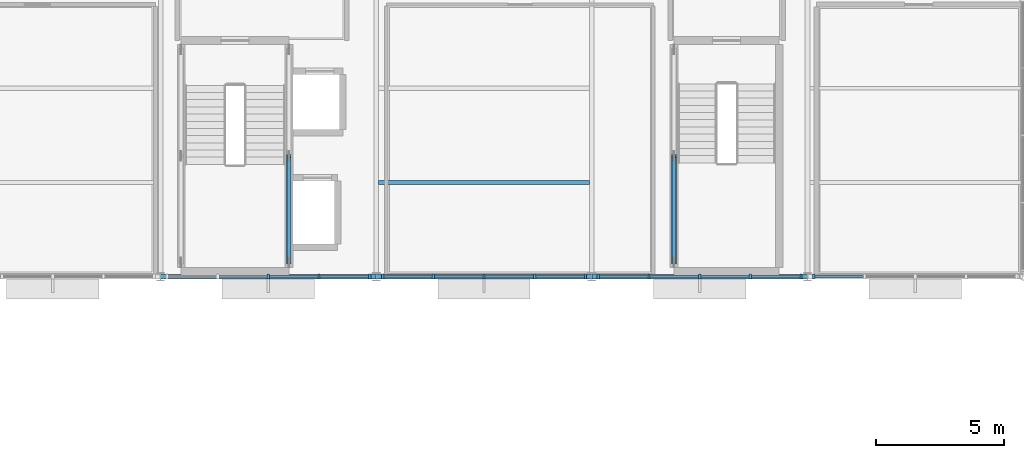
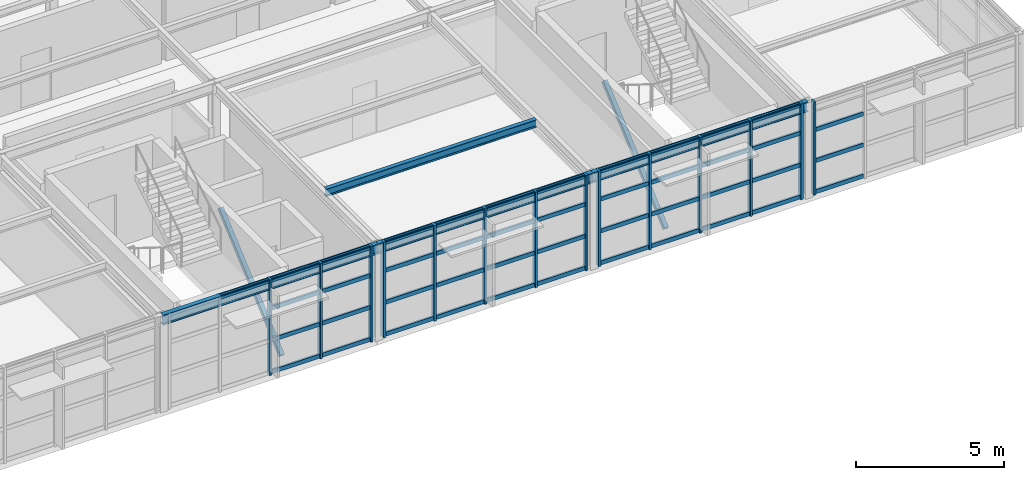
# One storey, part 6 of 21: 60 members, 4 beams, 4 elements without a shape of their own.
"""IFC4 building model written with IfcOpenShell, lengths in metres."""

from ifc_helpers import new_model, si_unit, direction, frame, origin, origin_2d, place, context, subcontext, project, spatial, rectangle, hollow_rectangle, i_section, extrude, material, layer, layer_set, material_profile, profile_set, type_object, element, aggregate, save


model = new_model("IFC4")

# Units and contexts
model_context = context("Model", 3, precision=1e-05, world=origin(), true_north=direction((0.0, 1.0)))
body_context = subcontext(model_context, "Body", "Model", "MODEL_VIEW")
ifc_project = project(units=[si_unit("LENGTHUNIT", "METRE"), si_unit("AREAUNIT", "SQUARE_METRE"), si_unit("VOLUMEUNIT", "CUBIC_METRE"), si_unit("PLANEANGLEUNIT", "RADIAN"), si_unit("MASSUNIT", "GRAM", prefix="KILO")], contexts=[model_context])

# Site, building, storey
site_placement = place(None, origin())
site = spatial("IfcSite", under=ifc_project, at=site_placement, CompositionType="ELEMENT")
building_placement = place(site_placement, origin())
building = spatial("IfcBuilding", under=site, at=building_placement, Name="Sitalva Quay Ferry Terminal", CompositionType="ELEMENT")
storey_placement = place(building_placement, frame((0.0, 0.0, 14.39990234375)))
storey = spatial("IfcBuildingStorey", under=building, at=storey_placement, Name="L04", CompositionType="ELEMENT", Elevation=14.39990234375)

# Beams
ifc_material_1 = material(Name="Structural Steel S355JR", Category="steel")
ifc_material_profile_1 = material_profile(ifc_material_1, i_section(OverallWidth=0.180908203125, OverallDepth=0.4169921875, WebThickness=0.010986328125, FlangeThickness=0.018310546875, FilletRadius=0.012939453125, at=origin_2d()), Name="W410x85")
ifc_profile_set_1 = profile_set([ifc_material_profile_1], Name="Structural Steel S355JR")
beam_type_1 = type_object("IfcBeamType", Name="Beam_W410x85", PredefinedType="BEAM", material=ifc_profile_set_1)
beam_1_placement = place(storey_placement, frame((92.39990234375, 78.0, 3.74169921875), z_axis=(1.0, 0.0, 0.0), x_axis=(0.0, 1.0, 0.0)))
element("IfcBeam", 1, at=beam_1_placement, inside=storey, type_object=beam_type_1, Name="L04 Primary X girder 1327", PredefinedType="BEAM", context=body_context, shape_type="SweptSolid", body=[
    extrude(i_section(OverallWidth=0.180908203125, OverallDepth=0.4169921875, WebThickness=0.010986328125, FlangeThickness=0.018310546875, FilletRadius=0.012939453125, at=origin_2d()), origin(), (0.0, 0.0, 1.0), 8.400146484375),
])
beam_2_placement = place(storey_placement, frame((100.800048828125, 78.0, 3.74169921875), z_axis=(1.0, 0.0, 0.0), x_axis=(0.0, 1.0, 0.0)))
element("IfcBeam", 2, at=beam_2_placement, inside=storey, type_object=beam_type_1, Name="L04 Primary X girder 1328", PredefinedType="BEAM", context=body_context, shape_type="SweptSolid", body=[
    extrude(i_section(OverallWidth=0.180908203125, OverallDepth=0.4169921875, WebThickness=0.010986328125, FlangeThickness=0.018310546875, FilletRadius=0.012939453125, at=origin_2d()), origin(), (0.0, 0.0, 1.0), 8.39990234375),
])
beam_3_placement = place(storey_placement, frame((109.199951171875, 78.0, 3.74169921875), z_axis=(1.0, 0.0, 0.0), x_axis=(0.0, 1.0, 0.0)))
element("IfcBeam", 3, at=beam_3_placement, inside=storey, type_object=beam_type_1, Name="L04 Primary X girder 1329", PredefinedType="BEAM", context=body_context, shape_type="SweptSolid", body=[
    extrude(i_section(OverallWidth=0.180908203125, OverallDepth=0.4169921875, WebThickness=0.010986328125, FlangeThickness=0.018310546875, FilletRadius=0.012939453125, at=origin_2d()), origin(), (0.0, 0.0, 1.0), 8.400146484375),
])

# Members
ifc_material_2 = material(Name="Structural Steel S355JR", Category="steel")
ifc_material_profile_2 = material_profile(ifc_material_2, hollow_rectangle(XDim=0.179931640625, YDim=0.179931640625, WallThickness=0.010009765625, InnerFilletRadius=0.010009765625, OuterFilletRadius=0.02001953125, at=origin_2d()), Name="SHS180x180x10")
ifc_profile_set_2 = profile_set([ifc_material_profile_2], Name="Structural Steel S355JR")
member_type_1 = type_object("IfcMemberType", Name="Brace_SHS180x10", PredefinedType="BRACE", material=ifc_profile_set_2)
for number, where, z_axis, x_axis, name in (
    (4, (97.39990234375, 78.550048828125, 0.150146484375), (0.0, 0.757199496801, 0.653183681704), (-1.0, 0.0, 0.0), "Braced frame BF3 L04 chevron A"),
    (5, (112.39990234375, 78.550048828125, 0.150146484375), (0.0, 0.757199496801, 0.653183681704), (-1.0, 0.0, 0.0), "Braced frame BF5 L04 chevron A"),
):
    element("IfcMember", number, at=place(storey_placement, frame(where, z_axis=z_axis, x_axis=x_axis)), inside=storey, type_object=member_type_1, Name=name, PredefinedType="BRACE", context=body_context, shape_type="SweptSolid", body=[
        extrude(hollow_rectangle(XDim=0.179931640625, YDim=0.179931640625, WallThickness=0.010009765625, InnerFilletRadius=0.010009765625, OuterFilletRadius=0.02001953125, at=origin_2d()), origin(), (0.0, 0.0, 1.0), 5.480712890625),
    ])

# Beam
ifc_material_3 = material(Name="Structural Steel S355JR", Category="steel")
ifc_material_profile_3 = material_profile(ifc_material_3, i_section(OverallWidth=0.166015625, OverallDepth=0.31298828125, WebThickness=0.006591796875, FlangeThickness=0.01123046875, FilletRadius=0.010986328125, at=origin_2d()), Name="W310x45")
ifc_profile_set_3 = profile_set([ifc_material_profile_3], Name="Structural Steel S355JR")
beam_type_2 = type_object("IfcBeamType", Name="Joist_W310x45", PredefinedType="JOIST", material=ifc_profile_set_3)
beam_4_placement = place(storey_placement, frame((100.889404296875, 81.666748046875, 3.793701171875), z_axis=(1.0, 0.0, 0.0), x_axis=(0.0, 1.0, 0.0)))
element("IfcBeam", 6, at=beam_4_placement, inside=storey, type_object=beam_type_2, Name="L04 Secondary joist 1364", PredefinedType="JOIST", context=body_context, shape_type="SweptSolid", body=[
    extrude(i_section(OverallWidth=0.166015625, OverallDepth=0.31298828125, WebThickness=0.006591796875, FlangeThickness=0.01123046875, FilletRadius=0.010986328125, at=origin_2d()), origin(), (0.0, 0.0, 1.0), 8.22119140625),
])

# Curtain wall, members
ifc_material_4 = material(Name="Anodised Aluminium & Low-E Glazing", Category="aluminium")
ifc_layer = layer(ifc_material_4, 0.159912109375)
ifc_layer_set = layer_set([ifc_layer], Name="Anodised Aluminium & Low-E Glazing")
curtain_wall_type = type_object("IfcCurtainWallType", Name="CW_VTS_Sloped", PredefinedType="USERDEFINED", material=ifc_layer_set)
curtain_wall_1_placement = place(storey_placement, origin())
curtain_wall_1 = element("IfcCurtainWall", 7, at=curtain_wall_1_placement, inside=storey, type_object=curtain_wall_type, Name="L04 river navigation south glazing (CW-L04-145)", ObjectType="CURTAIN_WALL", PredefinedType="USERDEFINED")
ifc_material_5 = material(Name="Anodised Aluminium 6063-T6", Category="aluminium")
ifc_material_profile_4 = material_profile(ifc_material_5, rectangle(XDim=0.090087890625, YDim=0.199951171875, at=origin_2d()), Name="ALU90x200")
ifc_profile_set_4 = profile_set([ifc_material_profile_4], Name="Anodised Aluminium 6063-T6")
member_type_2 = type_object("IfcMemberType", Name="Mullion_Alu_90x200", PredefinedType="MULLION", material=ifc_profile_set_4)
member_1_placement = place(storey_placement, frame((96.60009765625, 78.0, 0.0), z_axis=(0.0, 0.0, 1.0), x_axis=(1.0, 0.0, 0.0)))
member_1 = element("IfcMember", 8, at=member_1_placement, type_object=member_type_2, Name="CW-L04-145-M2", PredefinedType="MULLION", context=body_context, shape_type="SweptSolid", body=[
    extrude(rectangle(XDim=0.090087890625, YDim=0.199951171875, at=origin_2d()), origin(), (0.0, 0.0, 1.0), 3.9501953125),
])
member_2_placement = place(storey_placement, frame((98.574951171875, 78.0, 0.0), z_axis=(0.0, 0.0, 1.0), x_axis=(1.0, 0.0, 0.0)))
member_2 = element("IfcMember", 9, at=member_2_placement, type_object=member_type_2, Name="CW-L04-145-M3", PredefinedType="MULLION", context=body_context, shape_type="SweptSolid", body=[
    extrude(rectangle(XDim=0.090087890625, YDim=0.199951171875, at=origin_2d()), origin(), (0.0, 0.0, 1.0), 3.9501953125),
])
member_3_placement = place(storey_placement, frame((100.550048828125, 78.0, 0.0), z_axis=(0.0, 0.0, 1.0), x_axis=(1.0, 0.0, 0.0)))
member_3 = element("IfcMember", 10, at=member_3_placement, type_object=member_type_2, Name="CW-L04-145-M4", PredefinedType="MULLION", context=body_context, shape_type="SweptSolid", body=[
    extrude(rectangle(XDim=0.090087890625, YDim=0.199951171875, at=origin_2d()), origin(), (0.0, 0.0, 1.0), 3.9501953125),
])

curtain_wall_2_placement = place(storey_placement, origin())
curtain_wall_2 = element("IfcCurtainWall", 11, at=curtain_wall_2_placement, inside=storey, type_object=curtain_wall_type, Name="L04 river navigation south glazing (CW-L04-146)", ObjectType="CURTAIN_WALL", PredefinedType="USERDEFINED")
member_4_placement = place(storey_placement, frame((101.050048828125, 78.0, 0.0), z_axis=(0.0, 0.0, 1.0), x_axis=(1.0, 0.0, 0.0)))
member_4 = element("IfcMember", 12, at=member_4_placement, type_object=member_type_2, Name="CW-L04-146-M0", PredefinedType="MULLION", context=body_context, shape_type="SweptSolid", body=[
    extrude(rectangle(XDim=0.090087890625, YDim=0.199951171875, at=origin_2d()), origin(), (0.0, 0.0, 1.0), 3.9501953125),
])
member_5_placement = place(storey_placement, frame((103.02490234375, 78.0, 0.0), z_axis=(0.0, 0.0, 1.0), x_axis=(1.0, 0.0, 0.0)))
member_5 = element("IfcMember", 13, at=member_5_placement, type_object=member_type_2, Name="CW-L04-146-M1", PredefinedType="MULLION", context=body_context, shape_type="SweptSolid", body=[
    extrude(rectangle(XDim=0.090087890625, YDim=0.199951171875, at=origin_2d()), origin(), (0.0, 0.0, 1.0), 3.9501953125),
])
member_6_placement = place(storey_placement, frame((105.0, 78.0, 0.0), z_axis=(0.0, 0.0, 1.0), x_axis=(1.0, 0.0, 0.0)))
member_6 = element("IfcMember", 14, at=member_6_placement, type_object=member_type_2, Name="CW-L04-146-M2", PredefinedType="MULLION", context=body_context, shape_type="SweptSolid", body=[
    extrude(rectangle(XDim=0.090087890625, YDim=0.199951171875, at=origin_2d()), origin(), (0.0, 0.0, 1.0), 3.9501953125),
])
member_7_placement = place(storey_placement, frame((106.97509765625, 78.0, 0.0), z_axis=(0.0, 0.0, 1.0), x_axis=(1.0, 0.0, 0.0)))
member_7 = element("IfcMember", 15, at=member_7_placement, type_object=member_type_2, Name="CW-L04-146-M3", PredefinedType="MULLION", context=body_context, shape_type="SweptSolid", body=[
    extrude(rectangle(XDim=0.090087890625, YDim=0.199951171875, at=origin_2d()), origin(), (0.0, 0.0, 1.0), 3.9501953125),
])
member_8_placement = place(storey_placement, frame((108.949951171875, 78.0, 0.0), z_axis=(0.0, 0.0, 1.0), x_axis=(1.0, 0.0, 0.0)))
member_8 = element("IfcMember", 16, at=member_8_placement, type_object=member_type_2, Name="CW-L04-146-M4", PredefinedType="MULLION", context=body_context, shape_type="SweptSolid", body=[
    extrude(rectangle(XDim=0.090087890625, YDim=0.199951171875, at=origin_2d()), origin(), (0.0, 0.0, 1.0), 3.9501953125),
])

curtain_wall_3_placement = place(storey_placement, origin())
curtain_wall_3 = element("IfcCurtainWall", 17, at=curtain_wall_3_placement, inside=storey, type_object=curtain_wall_type, Name="L04 river navigation south glazing (CW-L04-147)", ObjectType="CURTAIN_WALL", PredefinedType="USERDEFINED")
member_9_placement = place(storey_placement, frame((109.449951171875, 78.0, 0.0), z_axis=(0.0, 0.0, 1.0), x_axis=(1.0, 0.0, 0.0)))
member_9 = element("IfcMember", 18, at=member_9_placement, type_object=member_type_2, Name="CW-L04-147-M0", PredefinedType="MULLION", context=body_context, shape_type="SweptSolid", body=[
    extrude(rectangle(XDim=0.090087890625, YDim=0.199951171875, at=origin_2d()), origin(), (0.0, 0.0, 1.0), 3.9501953125),
])
member_10_placement = place(storey_placement, frame((111.425048828125, 78.0, 0.0), z_axis=(0.0, 0.0, 1.0), x_axis=(1.0, 0.0, 0.0)))
member_10 = element("IfcMember", 19, at=member_10_placement, type_object=member_type_2, Name="CW-L04-147-M1", PredefinedType="MULLION", context=body_context, shape_type="SweptSolid", body=[
    extrude(rectangle(XDim=0.090087890625, YDim=0.199951171875, at=origin_2d()), origin(), (0.0, 0.0, 1.0), 3.9501953125),
])
member_11_placement = place(storey_placement, frame((113.39990234375, 78.0, 0.0), z_axis=(0.0, 0.0, 1.0), x_axis=(1.0, 0.0, 0.0)))
member_11 = element("IfcMember", 20, at=member_11_placement, type_object=member_type_2, Name="CW-L04-147-M2", PredefinedType="MULLION", context=body_context, shape_type="SweptSolid", body=[
    extrude(rectangle(XDim=0.090087890625, YDim=0.199951171875, at=origin_2d()), origin(), (0.0, 0.0, 1.0), 3.9501953125),
])
member_12_placement = place(storey_placement, frame((115.375, 78.0, 0.0), z_axis=(0.0, 0.0, 1.0), x_axis=(1.0, 0.0, 0.0)))
member_12 = element("IfcMember", 21, at=member_12_placement, type_object=member_type_2, Name="CW-L04-147-M3", PredefinedType="MULLION", context=body_context, shape_type="SweptSolid", body=[
    extrude(rectangle(XDim=0.090087890625, YDim=0.199951171875, at=origin_2d()), origin(), (0.0, 0.0, 1.0), 3.9501953125),
])
member_13_placement = place(storey_placement, frame((117.35009765625, 78.0, 0.0), z_axis=(0.0, 0.0, 1.0), x_axis=(1.0, 0.0, 0.0)))
member_13 = element("IfcMember", 22, at=member_13_placement, type_object=member_type_2, Name="CW-L04-147-M4", PredefinedType="MULLION", context=body_context, shape_type="SweptSolid", body=[
    extrude(rectangle(XDim=0.090087890625, YDim=0.199951171875, at=origin_2d()), origin(), (0.0, 0.0, 1.0), 3.9501953125),
])

# Curtain wall, member
curtain_wall_4_placement = place(storey_placement, origin())
curtain_wall_4 = element("IfcCurtainWall", 23, at=curtain_wall_4_placement, inside=storey, type_object=curtain_wall_type, Name="L04 river navigation south glazing (CW-L04-148)", ObjectType="CURTAIN_WALL", PredefinedType="USERDEFINED")
member_14_placement = place(storey_placement, frame((117.85009765625, 78.0, 0.0), z_axis=(0.0, 0.0, 1.0), x_axis=(1.0, 0.0, 0.0)))
member_14 = element("IfcMember", 24, at=member_14_placement, type_object=member_type_2, Name="CW-L04-148-M0", PredefinedType="MULLION", context=body_context, shape_type="SweptSolid", body=[
    extrude(rectangle(XDim=0.090087890625, YDim=0.199951171875, at=origin_2d()), origin(), (0.0, 0.0, 1.0), 3.85009765625),
])

# Member
ifc_material_6 = material(Name="Anodised Aluminium 6063-T6", Category="aluminium")
ifc_material_profile_5 = material_profile(ifc_material_6, rectangle(XDim=0.080078125, YDim=0.1650390625, at=origin_2d()), Name="ALU80x165")
ifc_profile_set_5 = profile_set([ifc_material_profile_5], Name="Anodised Aluminium 6063-T6")
member_type_3 = type_object("IfcMemberType", Name="Transom_Alu_80x165", PredefinedType="MULLION", material=ifc_profile_set_5)
member_15_placement = place(storey_placement, frame((94.669921875, 78.0, 3.86767578125), z_axis=(1.0, 0.0, 0.0), x_axis=(0.0, 1.0, 0.0)))
member_15 = element("IfcMember", 25, at=member_15_placement, type_object=member_type_3, Name="CW-L04-145-T1-3", ObjectType="TRANSOM", PredefinedType="USERDEFINED", context=body_context, shape_type="SweptSolid", body=[
    extrude(rectangle(XDim=0.080078125, YDim=0.1650390625, at=origin_2d()), origin(), (0.0, 0.0, 1.0), 1.885009765625),
])

member_16_placement = place(storey_placement, frame((96.64501953125, 78.0, 0.08251953125), z_axis=(1.0, 0.0, 0.0), x_axis=(0.0, 1.0, 0.0)))
member_16 = element("IfcMember", 26, at=member_16_placement, type_object=member_type_3, Name="CW-L04-145-T2-0", ObjectType="TRANSOM", PredefinedType="USERDEFINED", context=body_context, shape_type="SweptSolid", body=[
    extrude(rectangle(XDim=0.080078125, YDim=0.1650390625, at=origin_2d()), origin(), (0.0, 0.0, 1.0), 1.885009765625),
])

member_17_placement = place(storey_placement, frame((96.64501953125, 78.0, 1.399169921875), z_axis=(1.0, 0.0, 0.0), x_axis=(0.0, 1.0, 0.0)))
member_17 = element("IfcMember", 27, at=member_17_placement, type_object=member_type_3, Name="CW-L04-145-T2-1", ObjectType="TRANSOM", PredefinedType="USERDEFINED", context=body_context, shape_type="SweptSolid", body=[
    extrude(rectangle(XDim=0.080078125, YDim=0.1650390625, at=origin_2d()), origin(), (0.0, 0.0, 1.0), 1.885009765625),
])

member_18_placement = place(storey_placement, frame((96.64501953125, 78.0, 2.7158203125), z_axis=(1.0, 0.0, 0.0), x_axis=(0.0, 1.0, 0.0)))
member_18 = element("IfcMember", 28, at=member_18_placement, type_object=member_type_3, Name="CW-L04-145-T2-2", ObjectType="TRANSOM", PredefinedType="USERDEFINED", context=body_context, shape_type="SweptSolid", body=[
    extrude(rectangle(XDim=0.080078125, YDim=0.1650390625, at=origin_2d()), origin(), (0.0, 0.0, 1.0), 1.885009765625),
])

member_19_placement = place(storey_placement, frame((96.64501953125, 78.0, 3.86767578125), z_axis=(1.0, 0.0, 0.0), x_axis=(0.0, 1.0, 0.0)))
member_19 = element("IfcMember", 29, at=member_19_placement, type_object=member_type_3, Name="CW-L04-145-T2-3", ObjectType="TRANSOM", PredefinedType="USERDEFINED", context=body_context, shape_type="SweptSolid", body=[
    extrude(rectangle(XDim=0.080078125, YDim=0.1650390625, at=origin_2d()), origin(), (0.0, 0.0, 1.0), 1.885009765625),
])

member_20_placement = place(storey_placement, frame((98.6201171875, 78.0, 0.08251953125), z_axis=(1.0, 0.0, 0.0), x_axis=(0.0, 1.0, 0.0)))
member_20 = element("IfcMember", 30, at=member_20_placement, type_object=member_type_3, Name="CW-L04-145-T3-0", ObjectType="TRANSOM", PredefinedType="USERDEFINED", context=body_context, shape_type="SweptSolid", body=[
    extrude(rectangle(XDim=0.080078125, YDim=0.1650390625, at=origin_2d()), origin(), (0.0, 0.0, 1.0), 1.884765625),
])

member_21_placement = place(storey_placement, frame((98.6201171875, 78.0, 1.399169921875), z_axis=(1.0, 0.0, 0.0), x_axis=(0.0, 1.0, 0.0)))
member_21 = element("IfcMember", 31, at=member_21_placement, type_object=member_type_3, Name="CW-L04-145-T3-1", ObjectType="TRANSOM", PredefinedType="USERDEFINED", context=body_context, shape_type="SweptSolid", body=[
    extrude(rectangle(XDim=0.080078125, YDim=0.1650390625, at=origin_2d()), origin(), (0.0, 0.0, 1.0), 1.884765625),
])

member_22_placement = place(storey_placement, frame((98.6201171875, 78.0, 2.7158203125), z_axis=(1.0, 0.0, 0.0), x_axis=(0.0, 1.0, 0.0)))
member_22 = element("IfcMember", 32, at=member_22_placement, type_object=member_type_3, Name="CW-L04-145-T3-2", ObjectType="TRANSOM", PredefinedType="USERDEFINED", context=body_context, shape_type="SweptSolid", body=[
    extrude(rectangle(XDim=0.080078125, YDim=0.1650390625, at=origin_2d()), origin(), (0.0, 0.0, 1.0), 1.884765625),
])

member_23_placement = place(storey_placement, frame((98.6201171875, 78.0, 3.86767578125), z_axis=(1.0, 0.0, 0.0), x_axis=(0.0, 1.0, 0.0)))
member_23 = element("IfcMember", 33, at=member_23_placement, type_object=member_type_3, Name="CW-L04-145-T3-3", ObjectType="TRANSOM", PredefinedType="USERDEFINED", context=body_context, shape_type="SweptSolid", body=[
    extrude(rectangle(XDim=0.080078125, YDim=0.1650390625, at=origin_2d()), origin(), (0.0, 0.0, 1.0), 1.884765625),
])

aggregate(curtain_wall_1, [member_1, member_2, member_3, member_15, member_16, member_17, member_18, member_19, member_20, member_21, member_22, member_23])

member_24_placement = place(storey_placement, frame((101.094970703125, 78.0, 0.08251953125), z_axis=(1.0, 0.0, 0.0), x_axis=(0.0, 1.0, 0.0)))
member_24 = element("IfcMember", 34, at=member_24_placement, type_object=member_type_3, Name="CW-L04-146-T0-0", ObjectType="TRANSOM", PredefinedType="USERDEFINED", context=body_context, shape_type="SweptSolid", body=[
    extrude(rectangle(XDim=0.080078125, YDim=0.1650390625, at=origin_2d()), origin(), (0.0, 0.0, 1.0), 1.885009765625),
])

member_25_placement = place(storey_placement, frame((101.094970703125, 78.0, 1.399169921875), z_axis=(1.0, 0.0, 0.0), x_axis=(0.0, 1.0, 0.0)))
member_25 = element("IfcMember", 35, at=member_25_placement, type_object=member_type_3, Name="CW-L04-146-T0-1", ObjectType="TRANSOM", PredefinedType="USERDEFINED", context=body_context, shape_type="SweptSolid", body=[
    extrude(rectangle(XDim=0.080078125, YDim=0.1650390625, at=origin_2d()), origin(), (0.0, 0.0, 1.0), 1.885009765625),
])

member_26_placement = place(storey_placement, frame((101.094970703125, 78.0, 2.7158203125), z_axis=(1.0, 0.0, 0.0), x_axis=(0.0, 1.0, 0.0)))
member_26 = element("IfcMember", 36, at=member_26_placement, type_object=member_type_3, Name="CW-L04-146-T0-2", ObjectType="TRANSOM", PredefinedType="USERDEFINED", context=body_context, shape_type="SweptSolid", body=[
    extrude(rectangle(XDim=0.080078125, YDim=0.1650390625, at=origin_2d()), origin(), (0.0, 0.0, 1.0), 1.885009765625),
])

member_27_placement = place(storey_placement, frame((101.094970703125, 78.0, 3.86767578125), z_axis=(1.0, 0.0, 0.0), x_axis=(0.0, 1.0, 0.0)))
member_27 = element("IfcMember", 37, at=member_27_placement, type_object=member_type_3, Name="CW-L04-146-T0-3", ObjectType="TRANSOM", PredefinedType="USERDEFINED", context=body_context, shape_type="SweptSolid", body=[
    extrude(rectangle(XDim=0.080078125, YDim=0.1650390625, at=origin_2d()), origin(), (0.0, 0.0, 1.0), 1.885009765625),
])

member_28_placement = place(storey_placement, frame((103.070068359375, 78.0, 0.08251953125), z_axis=(1.0, 0.0, 0.0), x_axis=(0.0, 1.0, 0.0)))
member_28 = element("IfcMember", 38, at=member_28_placement, type_object=member_type_3, Name="CW-L04-146-T1-0", ObjectType="TRANSOM", PredefinedType="USERDEFINED", context=body_context, shape_type="SweptSolid", body=[
    extrude(rectangle(XDim=0.080078125, YDim=0.1650390625, at=origin_2d()), origin(), (0.0, 0.0, 1.0), 1.885009765625),
])

member_29_placement = place(storey_placement, frame((103.070068359375, 78.0, 1.399169921875), z_axis=(1.0, 0.0, 0.0), x_axis=(0.0, 1.0, 0.0)))
member_29 = element("IfcMember", 39, at=member_29_placement, type_object=member_type_3, Name="CW-L04-146-T1-1", ObjectType="TRANSOM", PredefinedType="USERDEFINED", context=body_context, shape_type="SweptSolid", body=[
    extrude(rectangle(XDim=0.080078125, YDim=0.1650390625, at=origin_2d()), origin(), (0.0, 0.0, 1.0), 1.885009765625),
])

member_30_placement = place(storey_placement, frame((103.070068359375, 78.0, 2.7158203125), z_axis=(1.0, 0.0, 0.0), x_axis=(0.0, 1.0, 0.0)))
member_30 = element("IfcMember", 40, at=member_30_placement, type_object=member_type_3, Name="CW-L04-146-T1-2", ObjectType="TRANSOM", PredefinedType="USERDEFINED", context=body_context, shape_type="SweptSolid", body=[
    extrude(rectangle(XDim=0.080078125, YDim=0.1650390625, at=origin_2d()), origin(), (0.0, 0.0, 1.0), 1.885009765625),
])

member_31_placement = place(storey_placement, frame((103.070068359375, 78.0, 3.86767578125), z_axis=(1.0, 0.0, 0.0), x_axis=(0.0, 1.0, 0.0)))
member_31 = element("IfcMember", 41, at=member_31_placement, type_object=member_type_3, Name="CW-L04-146-T1-3", ObjectType="TRANSOM", PredefinedType="USERDEFINED", context=body_context, shape_type="SweptSolid", body=[
    extrude(rectangle(XDim=0.080078125, YDim=0.1650390625, at=origin_2d()), origin(), (0.0, 0.0, 1.0), 1.885009765625),
])

member_32_placement = place(storey_placement, frame((105.044921875, 78.0, 0.08251953125), z_axis=(1.0, 0.0, 0.0), x_axis=(0.0, 1.0, 0.0)))
member_32 = element("IfcMember", 42, at=member_32_placement, type_object=member_type_3, Name="CW-L04-146-T2-0", ObjectType="TRANSOM", PredefinedType="USERDEFINED", context=body_context, shape_type="SweptSolid", body=[
    extrude(rectangle(XDim=0.080078125, YDim=0.1650390625, at=origin_2d()), origin(), (0.0, 0.0, 1.0), 1.885009765625),
])

member_33_placement = place(storey_placement, frame((105.044921875, 78.0, 1.399169921875), z_axis=(1.0, 0.0, 0.0), x_axis=(0.0, 1.0, 0.0)))
member_33 = element("IfcMember", 43, at=member_33_placement, type_object=member_type_3, Name="CW-L04-146-T2-1", ObjectType="TRANSOM", PredefinedType="USERDEFINED", context=body_context, shape_type="SweptSolid", body=[
    extrude(rectangle(XDim=0.080078125, YDim=0.1650390625, at=origin_2d()), origin(), (0.0, 0.0, 1.0), 1.885009765625),
])

member_34_placement = place(storey_placement, frame((105.044921875, 78.0, 2.7158203125), z_axis=(1.0, 0.0, 0.0), x_axis=(0.0, 1.0, 0.0)))
member_34 = element("IfcMember", 44, at=member_34_placement, type_object=member_type_3, Name="CW-L04-146-T2-2", ObjectType="TRANSOM", PredefinedType="USERDEFINED", context=body_context, shape_type="SweptSolid", body=[
    extrude(rectangle(XDim=0.080078125, YDim=0.1650390625, at=origin_2d()), origin(), (0.0, 0.0, 1.0), 1.885009765625),
])

member_35_placement = place(storey_placement, frame((105.044921875, 78.0, 3.86767578125), z_axis=(1.0, 0.0, 0.0), x_axis=(0.0, 1.0, 0.0)))
member_35 = element("IfcMember", 45, at=member_35_placement, type_object=member_type_3, Name="CW-L04-146-T2-3", ObjectType="TRANSOM", PredefinedType="USERDEFINED", context=body_context, shape_type="SweptSolid", body=[
    extrude(rectangle(XDim=0.080078125, YDim=0.1650390625, at=origin_2d()), origin(), (0.0, 0.0, 1.0), 1.885009765625),
])

member_36_placement = place(storey_placement, frame((107.02001953125, 78.0, 0.08251953125), z_axis=(1.0, 0.0, 0.0), x_axis=(0.0, 1.0, 0.0)))
member_36 = element("IfcMember", 46, at=member_36_placement, type_object=member_type_3, Name="CW-L04-146-T3-0", ObjectType="TRANSOM", PredefinedType="USERDEFINED", context=body_context, shape_type="SweptSolid", body=[
    extrude(rectangle(XDim=0.080078125, YDim=0.1650390625, at=origin_2d()), origin(), (0.0, 0.0, 1.0), 1.885009765625),
])

member_37_placement = place(storey_placement, frame((107.02001953125, 78.0, 1.399169921875), z_axis=(1.0, 0.0, 0.0), x_axis=(0.0, 1.0, 0.0)))
member_37 = element("IfcMember", 47, at=member_37_placement, type_object=member_type_3, Name="CW-L04-146-T3-1", ObjectType="TRANSOM", PredefinedType="USERDEFINED", context=body_context, shape_type="SweptSolid", body=[
    extrude(rectangle(XDim=0.080078125, YDim=0.1650390625, at=origin_2d()), origin(), (0.0, 0.0, 1.0), 1.885009765625),
])

member_38_placement = place(storey_placement, frame((107.02001953125, 78.0, 2.7158203125), z_axis=(1.0, 0.0, 0.0), x_axis=(0.0, 1.0, 0.0)))
member_38 = element("IfcMember", 48, at=member_38_placement, type_object=member_type_3, Name="CW-L04-146-T3-2", ObjectType="TRANSOM", PredefinedType="USERDEFINED", context=body_context, shape_type="SweptSolid", body=[
    extrude(rectangle(XDim=0.080078125, YDim=0.1650390625, at=origin_2d()), origin(), (0.0, 0.0, 1.0), 1.885009765625),
])

member_39_placement = place(storey_placement, frame((107.02001953125, 78.0, 3.86767578125), z_axis=(1.0, 0.0, 0.0), x_axis=(0.0, 1.0, 0.0)))
member_39 = element("IfcMember", 49, at=member_39_placement, type_object=member_type_3, Name="CW-L04-146-T3-3", ObjectType="TRANSOM", PredefinedType="USERDEFINED", context=body_context, shape_type="SweptSolid", body=[
    extrude(rectangle(XDim=0.080078125, YDim=0.1650390625, at=origin_2d()), origin(), (0.0, 0.0, 1.0), 1.885009765625),
])

aggregate(curtain_wall_2, [member_4, member_5, member_6, member_7, member_8, member_24, member_25, member_26, member_27, member_28, member_29, member_30, member_31, member_32, member_33, member_34, member_35, member_36, member_37, member_38, member_39])

member_40_placement = place(storey_placement, frame((109.4951171875, 78.0, 0.08251953125), z_axis=(1.0, 0.0, 0.0), x_axis=(0.0, 1.0, 0.0)))
member_40 = element("IfcMember", 50, at=member_40_placement, type_object=member_type_3, Name="CW-L04-147-T0-0", ObjectType="TRANSOM", PredefinedType="USERDEFINED", context=body_context, shape_type="SweptSolid", body=[
    extrude(rectangle(XDim=0.080078125, YDim=0.1650390625, at=origin_2d()), origin(), (0.0, 0.0, 1.0), 1.884765625),
])

member_41_placement = place(storey_placement, frame((109.4951171875, 78.0, 1.399169921875), z_axis=(1.0, 0.0, 0.0), x_axis=(0.0, 1.0, 0.0)))
member_41 = element("IfcMember", 51, at=member_41_placement, type_object=member_type_3, Name="CW-L04-147-T0-1", ObjectType="TRANSOM", PredefinedType="USERDEFINED", context=body_context, shape_type="SweptSolid", body=[
    extrude(rectangle(XDim=0.080078125, YDim=0.1650390625, at=origin_2d()), origin(), (0.0, 0.0, 1.0), 1.884765625),
])

member_42_placement = place(storey_placement, frame((109.4951171875, 78.0, 2.7158203125), z_axis=(1.0, 0.0, 0.0), x_axis=(0.0, 1.0, 0.0)))
member_42 = element("IfcMember", 52, at=member_42_placement, type_object=member_type_3, Name="CW-L04-147-T0-2", ObjectType="TRANSOM", PredefinedType="USERDEFINED", context=body_context, shape_type="SweptSolid", body=[
    extrude(rectangle(XDim=0.080078125, YDim=0.1650390625, at=origin_2d()), origin(), (0.0, 0.0, 1.0), 1.884765625),
])

member_43_placement = place(storey_placement, frame((109.4951171875, 78.0, 3.86767578125), z_axis=(1.0, 0.0, 0.0), x_axis=(0.0, 1.0, 0.0)))
member_43 = element("IfcMember", 53, at=member_43_placement, type_object=member_type_3, Name="CW-L04-147-T0-3", ObjectType="TRANSOM", PredefinedType="USERDEFINED", context=body_context, shape_type="SweptSolid", body=[
    extrude(rectangle(XDim=0.080078125, YDim=0.1650390625, at=origin_2d()), origin(), (0.0, 0.0, 1.0), 1.884765625),
])

member_44_placement = place(storey_placement, frame((111.469970703125, 78.0, 0.08251953125), z_axis=(1.0, 0.0, 0.0), x_axis=(0.0, 1.0, 0.0)))
member_44 = element("IfcMember", 54, at=member_44_placement, type_object=member_type_3, Name="CW-L04-147-T1-0", ObjectType="TRANSOM", PredefinedType="USERDEFINED", context=body_context, shape_type="SweptSolid", body=[
    extrude(rectangle(XDim=0.080078125, YDim=0.1650390625, at=origin_2d()), origin(), (0.0, 0.0, 1.0), 1.885009765625),
])

member_45_placement = place(storey_placement, frame((111.469970703125, 78.0, 1.399169921875), z_axis=(1.0, 0.0, 0.0), x_axis=(0.0, 1.0, 0.0)))
member_45 = element("IfcMember", 55, at=member_45_placement, type_object=member_type_3, Name="CW-L04-147-T1-1", ObjectType="TRANSOM", PredefinedType="USERDEFINED", context=body_context, shape_type="SweptSolid", body=[
    extrude(rectangle(XDim=0.080078125, YDim=0.1650390625, at=origin_2d()), origin(), (0.0, 0.0, 1.0), 1.885009765625),
])

member_46_placement = place(storey_placement, frame((111.469970703125, 78.0, 2.7158203125), z_axis=(1.0, 0.0, 0.0), x_axis=(0.0, 1.0, 0.0)))
member_46 = element("IfcMember", 56, at=member_46_placement, type_object=member_type_3, Name="CW-L04-147-T1-2", ObjectType="TRANSOM", PredefinedType="USERDEFINED", context=body_context, shape_type="SweptSolid", body=[
    extrude(rectangle(XDim=0.080078125, YDim=0.1650390625, at=origin_2d()), origin(), (0.0, 0.0, 1.0), 1.885009765625),
])

member_47_placement = place(storey_placement, frame((111.469970703125, 78.0, 3.86767578125), z_axis=(1.0, 0.0, 0.0), x_axis=(0.0, 1.0, 0.0)))
member_47 = element("IfcMember", 57, at=member_47_placement, type_object=member_type_3, Name="CW-L04-147-T1-3", ObjectType="TRANSOM", PredefinedType="USERDEFINED", context=body_context, shape_type="SweptSolid", body=[
    extrude(rectangle(XDim=0.080078125, YDim=0.1650390625, at=origin_2d()), origin(), (0.0, 0.0, 1.0), 1.885009765625),
])

member_48_placement = place(storey_placement, frame((113.445068359375, 78.0, 0.08251953125), z_axis=(1.0, 0.0, 0.0), x_axis=(0.0, 1.0, 0.0)))
member_48 = element("IfcMember", 58, at=member_48_placement, type_object=member_type_3, Name="CW-L04-147-T2-0", ObjectType="TRANSOM", PredefinedType="USERDEFINED", context=body_context, shape_type="SweptSolid", body=[
    extrude(rectangle(XDim=0.080078125, YDim=0.1650390625, at=origin_2d()), origin(), (0.0, 0.0, 1.0), 1.885009765625),
])

member_49_placement = place(storey_placement, frame((113.445068359375, 78.0, 1.399169921875), z_axis=(1.0, 0.0, 0.0), x_axis=(0.0, 1.0, 0.0)))
member_49 = element("IfcMember", 59, at=member_49_placement, type_object=member_type_3, Name="CW-L04-147-T2-1", ObjectType="TRANSOM", PredefinedType="USERDEFINED", context=body_context, shape_type="SweptSolid", body=[
    extrude(rectangle(XDim=0.080078125, YDim=0.1650390625, at=origin_2d()), origin(), (0.0, 0.0, 1.0), 1.885009765625),
])

member_50_placement = place(storey_placement, frame((113.445068359375, 78.0, 2.7158203125), z_axis=(1.0, 0.0, 0.0), x_axis=(0.0, 1.0, 0.0)))
member_50 = element("IfcMember", 60, at=member_50_placement, type_object=member_type_3, Name="CW-L04-147-T2-2", ObjectType="TRANSOM", PredefinedType="USERDEFINED", context=body_context, shape_type="SweptSolid", body=[
    extrude(rectangle(XDim=0.080078125, YDim=0.1650390625, at=origin_2d()), origin(), (0.0, 0.0, 1.0), 1.885009765625),
])

member_51_placement = place(storey_placement, frame((113.445068359375, 78.0, 3.86767578125), z_axis=(1.0, 0.0, 0.0), x_axis=(0.0, 1.0, 0.0)))
member_51 = element("IfcMember", 61, at=member_51_placement, type_object=member_type_3, Name="CW-L04-147-T2-3", ObjectType="TRANSOM", PredefinedType="USERDEFINED", context=body_context, shape_type="SweptSolid", body=[
    extrude(rectangle(XDim=0.080078125, YDim=0.1650390625, at=origin_2d()), origin(), (0.0, 0.0, 1.0), 1.885009765625),
])

member_52_placement = place(storey_placement, frame((115.419921875, 78.0, 0.08251953125), z_axis=(1.0, 0.0, 0.0), x_axis=(0.0, 1.0, 0.0)))
member_52 = element("IfcMember", 62, at=member_52_placement, type_object=member_type_3, Name="CW-L04-147-T3-0", ObjectType="TRANSOM", PredefinedType="USERDEFINED", context=body_context, shape_type="SweptSolid", body=[
    extrude(rectangle(XDim=0.080078125, YDim=0.1650390625, at=origin_2d()), origin(), (0.0, 0.0, 1.0), 1.885009765625),
])

member_53_placement = place(storey_placement, frame((115.419921875, 78.0, 1.399169921875), z_axis=(1.0, 0.0, 0.0), x_axis=(0.0, 1.0, 0.0)))
member_53 = element("IfcMember", 63, at=member_53_placement, type_object=member_type_3, Name="CW-L04-147-T3-1", ObjectType="TRANSOM", PredefinedType="USERDEFINED", context=body_context, shape_type="SweptSolid", body=[
    extrude(rectangle(XDim=0.080078125, YDim=0.1650390625, at=origin_2d()), origin(), (0.0, 0.0, 1.0), 1.885009765625),
])

member_54_placement = place(storey_placement, frame((115.419921875, 78.0, 2.7158203125), z_axis=(1.0, 0.0, 0.0), x_axis=(0.0, 1.0, 0.0)))
member_54 = element("IfcMember", 64, at=member_54_placement, type_object=member_type_3, Name="CW-L04-147-T3-2", ObjectType="TRANSOM", PredefinedType="USERDEFINED", context=body_context, shape_type="SweptSolid", body=[
    extrude(rectangle(XDim=0.080078125, YDim=0.1650390625, at=origin_2d()), origin(), (0.0, 0.0, 1.0), 1.885009765625),
])

member_55_placement = place(storey_placement, frame((115.419921875, 78.0, 3.86767578125), z_axis=(1.0, 0.0, 0.0), x_axis=(0.0, 1.0, 0.0)))
member_55 = element("IfcMember", 65, at=member_55_placement, type_object=member_type_3, Name="CW-L04-147-T3-3", ObjectType="TRANSOM", PredefinedType="USERDEFINED", context=body_context, shape_type="SweptSolid", body=[
    extrude(rectangle(XDim=0.080078125, YDim=0.1650390625, at=origin_2d()), origin(), (0.0, 0.0, 1.0), 1.885009765625),
])

aggregate(curtain_wall_3, [member_9, member_10, member_11, member_12, member_13, member_40, member_41, member_42, member_43, member_44, member_45, member_46, member_47, member_48, member_49, member_50, member_51, member_52, member_53, member_54, member_55])

member_56_placement = place(storey_placement, frame((117.89501953125, 78.0, 0.08251953125), z_axis=(1.0, 0.0, 0.0), x_axis=(0.0, 1.0, 0.0)))
member_56 = element("IfcMember", 66, at=member_56_placement, type_object=member_type_3, Name="CW-L04-148-T0-0", ObjectType="TRANSOM", PredefinedType="USERDEFINED", context=body_context, shape_type="SweptSolid", body=[
    extrude(rectangle(XDim=0.080078125, YDim=0.1650390625, at=origin_2d()), origin(), (0.0, 0.0, 1.0), 1.885009765625),
])

member_57_placement = place(storey_placement, frame((117.89501953125, 78.0, 1.365966796875), z_axis=(1.0, 0.0, 0.0), x_axis=(0.0, 1.0, 0.0)))
member_57 = element("IfcMember", 67, at=member_57_placement, type_object=member_type_3, Name="CW-L04-148-T0-1", ObjectType="TRANSOM", PredefinedType="USERDEFINED", context=body_context, shape_type="SweptSolid", body=[
    extrude(rectangle(XDim=0.080078125, YDim=0.1650390625, at=origin_2d()), origin(), (0.0, 0.0, 1.0), 1.885009765625),
])

member_58_placement = place(storey_placement, frame((117.89501953125, 78.0, 2.649169921875), z_axis=(1.0, 0.0, 0.0), x_axis=(0.0, 1.0, 0.0)))
member_58 = element("IfcMember", 68, at=member_58_placement, type_object=member_type_3, Name="CW-L04-148-T0-2", ObjectType="TRANSOM", PredefinedType="USERDEFINED", context=body_context, shape_type="SweptSolid", body=[
    extrude(rectangle(XDim=0.080078125, YDim=0.1650390625, at=origin_2d()), origin(), (0.0, 0.0, 1.0), 1.885009765625),
])

aggregate(curtain_wall_4, [member_14, member_56, member_57, member_58])

save(model, "model.ifc")
